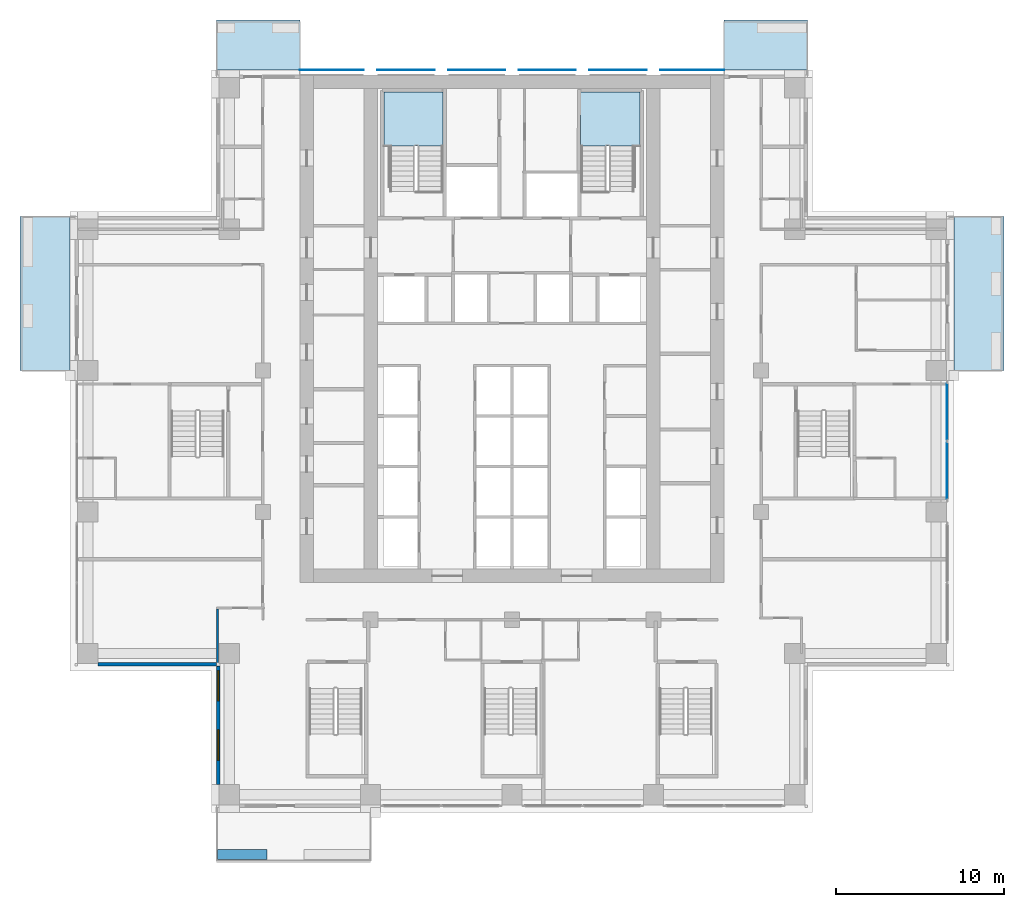
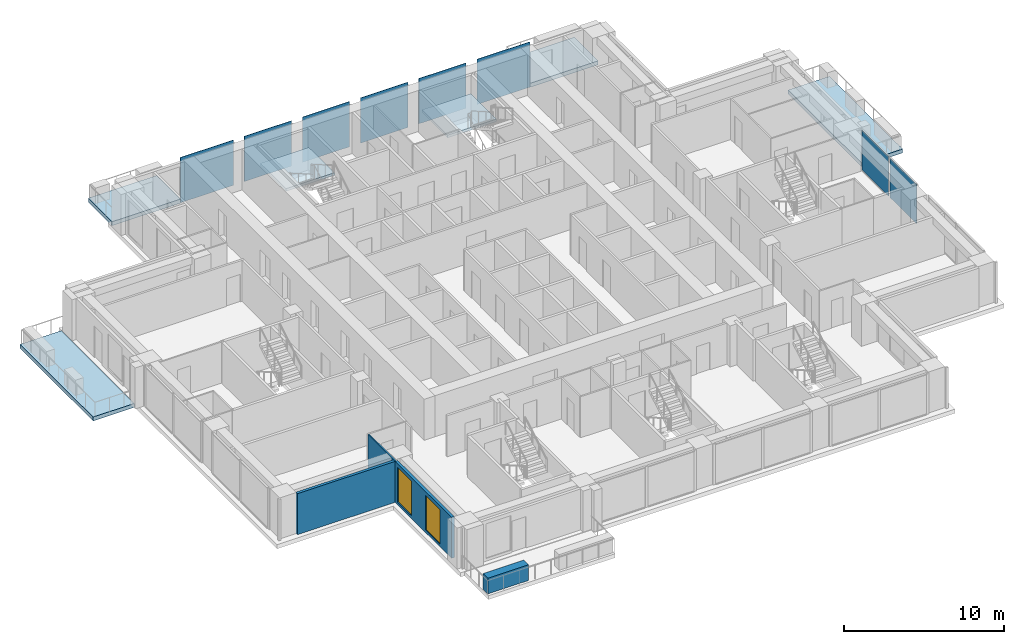
# One storey, part 6 of 17: 8 plates, 6 slabs, 4 walls, 2 windows, 2 openings, 3 elements without a shape of their own.
"""IFC4 building model written with IfcOpenShell, lengths in metres."""

import ifcopenshell
import ifcopenshell.guid

model = None  # the IFC model being written
_history = None  # IfcOwnerHistory: only IFC2X3 demands one
_inside = {}  # id of a spatial element -> (the spatial element, [elements in it])
_under = {}  # id of a project, library or spatial element -> (it, [spatial elements below it])
_declared = {}  # id of a project -> (the project, [libraries it declares])
_typed = {}  # id of a type object -> (the type object, [elements of that type])
_made_of = {}  # id of a material, layer set ... -> (it, [elements and type objects made of it])


def new_model(schema):
    """Start an empty IFC model of exactly this schema.

    Asked for "IFC4X3", IfcOpenShell would pick the latest addendum, in which some entities
    have other attributes; the version numbers below select the first issue.
    IFC2X3 requires an IfcOwnerHistory on every rooted entity: one is made here for all.
    """
    global model, _history
    if schema == "IFC4X3":
        model = ifcopenshell.file(schema_version=(4, 3, 0, 0))
    else:
        model = ifcopenshell.file(schema=schema)
    _inside.clear()
    _under.clear()
    _declared.clear()
    _typed.clear()
    _made_of.clear()
    _history = None
    if model.schema == "IFC2X3":
        org = make("IfcOrganization", Name="unknown")
        user = make(
            "IfcPersonAndOrganization",
            ThePerson=make("IfcPerson", FamilyName="unknown"),
            TheOrganization=org,
        )
        app = make(
            "IfcApplication",
            ApplicationDeveloper=org,
            Version="unknown",
            ApplicationFullName="unknown",
            ApplicationIdentifier="unknown",
        )
        _history = make(
            "IfcOwnerHistory",
            OwningUser=user,
            OwningApplication=app,
            ChangeAction="ADDED",
            CreationDate=0,
        )
    return model


def make(cls, **values):
    """One entity of the class cls with the attributes given. An attribute that is None is left unset."""
    return model.create_entity(
        cls, **{name: value for name, value in values.items() if value is not None}
    )


def rooted(cls, **values):
    """An entity with a GlobalId (a new one), such as an element, a storey or a relation."""
    return make(cls, GlobalId=ifcopenshell.guid.new(), OwnerHistory=_history, **values)


def si_unit(unit_type, name, prefix=None):
    """IfcSIUnit, for example si_unit("LENGTHUNIT", "METRE", prefix="MILLI")."""
    return make("IfcSIUnit", UnitType=unit_type, Prefix=prefix, Name=name)


def assignment(units):
    """IfcUnitAssignment: the units of a project."""
    return None if units is None else make("IfcUnitAssignment", Units=units)


def point(xyz):
    """IfcCartesianPoint."""
    return None if xyz is None else make("IfcCartesianPoint", Coordinates=xyz)


def direction(xyz):
    """IfcDirection."""
    return None if xyz is None else make("IfcDirection", DirectionRatios=xyz)


def frame(location, z_axis=None, x_axis=None):
    """IfcAxis2Placement3D, a coordinate frame: its origin and axes. An axis left out is left unset."""
    return make(
        "IfcAxis2Placement3D",
        Location=point(location),
        Axis=direction(z_axis),
        RefDirection=direction(x_axis),
    )


def frame_2d(location, x_axis=None):
    """IfcAxis2Placement2D, a coordinate frame in the plane: its origin and x axis."""
    return make(
        "IfcAxis2Placement2D", Location=point(location), RefDirection=direction(x_axis)
    )


def origin():
    """The frame at (0, 0, 0) with its axes left unset."""
    return frame((0.0, 0.0, 0.0))


def origin_2d():
    """The frame at (0, 0) in the plane with its x axis left unset."""
    return frame_2d((0.0, 0.0))


def place(relative_to, where):
    """IfcLocalPlacement: puts the frame where relative to a parent placement (None: the world)."""
    return make(
        "IfcLocalPlacement", PlacementRelTo=relative_to, RelativePlacement=where
    )


def context(
    kind, dimensions, precision=None, world=None, true_north=None, identifier=None
):
    """IfcGeometricRepresentationContext, for example the 3D "Model" context."""
    return make(
        "IfcGeometricRepresentationContext",
        ContextIdentifier=identifier,
        ContextType=kind,
        CoordinateSpaceDimension=dimensions,
        Precision=precision,
        WorldCoordinateSystem=world,
        TrueNorth=true_north,
    )


def subcontext(parent, identifier, kind, view, scale=None):
    """IfcGeometricRepresentationSubContext, for example "Body" below "Model"."""
    return make(
        "IfcGeometricRepresentationSubContext",
        ContextIdentifier=identifier,
        ContextType=kind,
        ParentContext=parent,
        TargetScale=scale,
        TargetView=view,
    )


def project(units=None, contexts=None):
    """IfcProject with its units and contexts."""
    return rooted(
        "IfcProject",
        Name="project",
        RepresentationContexts=contexts,
        UnitsInContext=assignment(units),
    )


def spatial(cls, under=None, at=None, **own):
    """A site, building, storey or space (cls), placed at a placement, below another one or the project."""
    s = rooted(cls, ObjectPlacement=at, **own)
    if under is not None:
        _under.setdefault(under.id(), (under, []))[1].append(s)
    return s


def polyline(points):
    """IfcPolyline through the points."""
    return make("IfcPolyline", Points=[point(p) for p in points])


def profile(cls, at=None, kind="AREA", **sizes):
    """A parametric profile (cls). Its sizes go by their IFC names, for example OverallWidth=200.0."""
    return make(cls, ProfileType=kind, Position=at, **sizes)


def rectangle(**sizes):
    """IfcRectangleProfileDef."""
    return profile("IfcRectangleProfileDef", **sizes)


def outline(outer, holes=None, kind="AREA"):
    """IfcArbitraryClosedProfileDef: a profile drawn as a closed curve; with holes, ...WithVoids."""
    if holes is None:
        return make("IfcArbitraryClosedProfileDef", ProfileType=kind, OuterCurve=outer)
    return make(
        "IfcArbitraryProfileDefWithVoids",
        ProfileType=kind,
        OuterCurve=outer,
        InnerCurves=holes,
    )


def extrude(swept, where, along, depth):
    """IfcExtrudedAreaSolid: the profile swept, set in the frame where, extruded along a direction by depth."""
    return make(
        "IfcExtrudedAreaSolid",
        SweptArea=swept,
        Position=where,
        ExtrudedDirection=direction(along),
        Depth=depth,
    )


def shape(context_of_items, identifier, shape_type, items):
    """IfcShapeRepresentation: the items that make up one representation, for example the "Body"."""
    return make(
        "IfcShapeRepresentation",
        ContextOfItems=context_of_items,
        RepresentationIdentifier=identifier,
        RepresentationType=shape_type,
        Items=items,
    )


def material(Name=None, Category=None):
    """IfcMaterial."""
    return make("IfcMaterial", Name=Name, Category=Category)


def layer(
    of_material, thickness, ventilated=None, Name=None, Category=None, Priority=None
):
    """IfcMaterialLayer: one layer of a wall or slab, of a material (None: an air gap)."""
    return make(
        "IfcMaterialLayer",
        Material=of_material,
        LayerThickness=thickness,
        IsVentilated=ventilated,
        Name=Name,
        Category=Category,
        Priority=Priority,
    )


def layer_set(layers, Name=None):
    """IfcMaterialLayerSet."""
    return make("IfcMaterialLayerSet", MaterialLayers=layers, LayerSetName=Name)


def made_of(thing, what):
    """Note that an element or type object is made of a material, layer set ...; save() writes the relation."""
    if what is not None:
        _made_of.setdefault(what.id(), (what, []))[1].append(thing)
    return thing


def type_object(cls, material=None, **own):
    """A type object (cls), such as IfcWallType, which elements share."""
    return made_of(rooted(cls, **own), material)


def element(
    cls,
    number,
    at=None,
    inside=None,
    cuts=None,
    type_object=None,
    material=None,
    context=None,
    identifier="Body",
    shape_type=None,
    held_by="IfcProductDefinitionShape",
    body=None,
    shapes=None,
    **own,
):
    """One element of the class cls, such as IfcWall. Its Tag is "e" and its number.

    at: its placement. inside: the storey or other place that contains it. cuts: it is an
    opening in that element (IfcRelVoidsElement). A single representation is given by context,
    identifier, shape_type and body (its items); several are given by shapes. held_by: the class
    of the entity that holds the representations. save() writes the other relations.
    """
    e = rooted(cls, Tag="e%d" % number, ObjectPlacement=at, **own)
    if body is not None:
        shapes = [shape(context, identifier, shape_type, body)]
    if shapes is not None:
        e.Representation = make(held_by, Representations=shapes)
    if inside is not None:
        _inside.setdefault(inside.id(), (inside, []))[1].append(e)
    if cuts is not None:
        rooted(
            "IfcRelVoidsElement", RelatingBuildingElement=cuts, RelatedOpeningElement=e
        )
    if type_object is not None:
        _typed.setdefault(type_object.id(), (type_object, []))[1].append(e)
    return made_of(e, material)


def fill(opening, filler):
    """IfcRelFillsElement: the door or window that sits in an opening."""
    return rooted(
        "IfcRelFillsElement",
        RelatingOpeningElement=opening,
        RelatedBuildingElement=filler,
    )


def aggregate(whole, parts):
    """IfcRelAggregates: a whole, such as a stair, and the parts it consists of."""
    return rooted("IfcRelAggregates", RelatingObject=whole, RelatedObjects=parts)


def save(model, path):
    """Write the relations noted so far, then the file.

    IfcRelAggregates (storeys below a building ...), IfcRelContainedInSpatialStructure (elements
    in a storey), IfcRelDefinesByType, IfcRelAssociatesMaterial and IfcRelDeclares: one each for
    every whole, place, type object, material and project.
    """
    for whole, parts in _under.values():
        aggregate(whole, parts)
    for where, things in _inside.values():
        rooted(
            "IfcRelContainedInSpatialStructure",
            RelatedElements=things,
            RelatingStructure=where,
        )
    for kind, things in _typed.values():
        rooted("IfcRelDefinesByType", RelatedObjects=things, RelatingType=kind)
    for what, things in _made_of.values():
        rooted("IfcRelAssociatesMaterial", RelatedObjects=things, RelatingMaterial=what)
    for by, libraries in _declared.values():
        rooted("IfcRelDeclares", RelatingContext=by, RelatedDefinitions=libraries)
    model.write(path)


model = new_model("IFC4")

# Units and contexts
model_context = context("Model", 3, precision=1e-05, world=origin(), true_north=direction((0.0, 1.0)))
body_context = subcontext(model_context, "Body", "Model", "MODEL_VIEW")
ifc_project = project(units=[si_unit("LENGTHUNIT", "METRE"), si_unit("AREAUNIT", "SQUARE_METRE"), si_unit("VOLUMEUNIT", "CUBIC_METRE"), si_unit("PLANEANGLEUNIT", "RADIAN"), si_unit("MASSUNIT", "GRAM", prefix="KILO")], contexts=[model_context])

# Site, building, storey
site_placement = place(None, origin())
site = spatial("IfcSite", under=ifc_project, at=site_placement, CompositionType="ELEMENT")
building_placement = place(site_placement, origin())
building = spatial("IfcBuilding", under=site, at=building_placement, Name="Vermilion Ogive Tower", CompositionType="ELEMENT")
storey_placement = place(building_placement, frame((0.0, 0.0, 83.85009765625)))
storey = spatial("IfcBuildingStorey", under=building, at=storey_placement, Name="L20", CompositionType="ELEMENT", Elevation=83.85009765625)

# Slabs
ifc_material_1 = material(Name="Concrete B40", Category="concrete")
ifc_layer_1 = layer(ifc_material_1, 0.300048828125)
ifc_layer_set_1 = layer_set([ifc_layer_1], Name="Balcony slab")
slab_type_1 = type_object("IfcSlabType", Name="Balcony slab", PredefinedType="FLOOR", material=ifc_layer_set_1)
slab_1_placement = place(storey_placement, frame((0.0, 0.0, -0.340087890625)))
element("IfcSlab", 1, at=slab_1_placement, inside=storey, type_object=slab_type_1, Name="Balcony slab E03", PredefinedType="FLOOR", context=body_context, shape_type="SweptSolid", body=[
    extrude(outline(polyline([(29.22998046875, 4.199951171875), (29.22998046875, 13.35009765625), (26.25, 13.35009765625), (26.25, 4.199951171875), (29.22998046875, 4.199951171875)])), origin(), (0.0, 0.0, 1.0), 0.300048828125),
])
slab_2_placement = place(storey_placement, frame((0.0, 0.0, -0.340087890625)))
element("IfcSlab", 2, at=slab_2_placement, inside=storey, type_object=slab_type_1, Name="Balcony slab N101", PredefinedType="FLOOR", context=body_context, shape_type="SweptSolid", body=[
    extrude(outline(polyline([(17.550048828125, 25.030029296875), (12.60009765625, 25.030029296875), (12.60009765625, 22.050048828125), (17.550048828125, 22.050048828125), (17.550048828125, 25.030029296875)])), origin(), (0.0, 0.0, 1.0), 0.300048828125),
])
slab_3_placement = place(storey_placement, frame((0.0, 0.0, -0.340087890625)))
element("IfcSlab", 3, at=slab_3_placement, inside=storey, type_object=slab_type_1, Name="Balcony slab N201", PredefinedType="FLOOR", context=body_context, shape_type="SweptSolid", body=[
    extrude(outline(polyline([(-12.60009765625, 25.030029296875), (-17.550048828125, 25.030029296875), (-17.550048828125, 22.050048828125), (-12.60009765625, 22.050048828125), (-12.60009765625, 25.030029296875)])), origin(), (0.0, 0.0, 1.0), 0.300048828125),
])
slab_4_placement = place(storey_placement, frame((0.0, 0.0, -0.340087890625)))
element("IfcSlab", 4, at=slab_4_placement, inside=storey, type_object=slab_type_1, Name="Balcony slab W01", PredefinedType="FLOOR", context=body_context, shape_type="SweptSolid", body=[
    extrude(outline(polyline([(-29.22998046875, 13.35009765625), (-29.22998046875, 4.199951171875), (-26.25, 4.199951171875), (-26.25, 13.35009765625), (-29.22998046875, 13.35009765625)])), origin(), (0.0, 0.0, 1.0), 0.300048828125),
])

# Curtain wall, plates
ifc_material_2 = material(Name="Low-iron laminated glazing in aluminium frame", Category="aluminium")
curtain_wall_type = type_object("IfcCurtainWallType", Name="Curtain wall CW7", PredefinedType="NOTDEFINED", material=ifc_material_2)
curtain_wall_placement = place(storey_placement, origin())
curtain_wall = element("IfcCurtainWall", 5, at=curtain_wall_placement, inside=storey, type_object=curtain_wall_type, Name="Glazed skin E2", PredefinedType="NOTDEFINED")
ifc_material_3 = material(Name="Low-iron laminated glazing in aluminium frame", Category="aluminium")
ifc_layer_2 = layer(ifc_material_3, 0.031982421875)
ifc_layer_set_2 = layer_set([ifc_layer_2], Name="CW7 glazing panel 32")
plate_type_1 = type_object("IfcPlateType", Name="CW7 glazing panel 32", PredefinedType="CURTAIN_PANEL", material=ifc_layer_set_2)
plate_1_placement = place(storey_placement, frame((25.85009765625, -1.7548828125, 0.06005859375), z_axis=(0.0, 0.0, 1.0), x_axis=(0.0, 1.0, 0.0)))
plate_1 = element("IfcPlate", 6, at=plate_1_placement, type_object=plate_type_1, Name="CW7-E2 panel 1.1", PredefinedType="CURTAIN_PANEL", context=body_context, shape_type="SweptSolid", body=[
    extrude(rectangle(XDim=3.330078125, YDim=0.031982421875, at=origin_2d()), origin(), (0.0, 0.0, 1.0), 3.010009765625),
])
plate_2_placement = place(storey_placement, frame((25.85009765625, 1.7548828125, 0.06005859375), z_axis=(0.0, 0.0, 1.0), x_axis=(0.0, 1.0, 0.0)))
plate_2 = element("IfcPlate", 7, at=plate_2_placement, type_object=plate_type_1, Name="CW7-E2 panel 2.1", PredefinedType="CURTAIN_PANEL", context=body_context, shape_type="SweptSolid", body=[
    extrude(rectangle(XDim=3.330078125, YDim=0.031982421875, at=origin_2d()), origin(), (0.0, 0.0, 1.0), 3.010009765625),
])
aggregate(curtain_wall, [plate_1, plate_2])

# Plates
ifc_material_4 = material(Name="Low-iron laminated glazing in aluminium frame", Category="aluminium")
ifc_layer_3 = layer(ifc_material_4, 0.031982421875)
ifc_layer_set_3 = layer_set([ifc_layer_3], Name="Glazed rainscreen sheet 32")
plate_type_2 = type_object("IfcPlateType", Name="Glazed rainscreen sheet 32", PredefinedType="SHEET", material=ifc_layer_set_3)
plate_3_placement = place(storey_placement, frame((-10.7099609375, 22.06591796875, -0.3203125), z_axis=(0.0, 0.0, 1.0), x_axis=(1.0, 0.0, 0.0)))
element("IfcPlate", 8, at=plate_3_placement, inside=storey, type_object=plate_type_2, Name="Glazed rainscreen sheet N1", PredefinedType="SHEET", context=body_context, shape_type="SweptSolid", body=[
    extrude(rectangle(XDim=3.820068359375, YDim=0.031982421875, at=origin_2d()), origin(), (0.0, 0.0, 1.0), 3.449951171875),
])
for number, where, z_axis, x_axis, name in (
    (9, (-6.300048828125, 22.06591796875, -0.3203125), (0.0, 0.0, 1.0), (1.0, 0.0, 0.0), "Glazed rainscreen sheet N2"),
    (10, (-2.10009765625, 22.06591796875, -0.3203125), (0.0, 0.0, 1.0), (1.0, 0.0, 0.0), "Glazed rainscreen sheet N3"),
    (11, (2.10009765625, 22.06591796875, -0.3203125), (0.0, 0.0, 1.0), (1.0, 0.0, 0.0), "Glazed rainscreen sheet N4"),
    (12, (6.300048828125, 22.06591796875, -0.3203125), (0.0, 0.0, 1.0), (1.0, 0.0, 0.0), "Glazed rainscreen sheet N5"),
):
    element("IfcPlate", number, at=place(storey_placement, frame(where, z_axis=z_axis, x_axis=x_axis)), inside=storey, type_object=plate_type_2, Name=name, PredefinedType="SHEET", context=body_context, shape_type="SweptSolid", body=[
        extrude(rectangle(XDim=3.39990234375, YDim=0.031982421875, at=origin_2d()), origin(), (0.0, 0.0, 1.0), 3.449951171875),
    ])
plate_4_placement = place(storey_placement, frame((10.7099609375, 22.06591796875, -0.3203125), z_axis=(0.0, 0.0, 1.0), x_axis=(1.0, 0.0, 0.0)))
element("IfcPlate", 13, at=plate_4_placement, inside=storey, type_object=plate_type_2, Name="Glazed rainscreen sheet N6", PredefinedType="SHEET", context=body_context, shape_type="SweptSolid", body=[
    extrude(rectangle(XDim=3.820068359375, YDim=0.031982421875, at=origin_2d()), origin(), (0.0, 0.0, 1.0), 3.449951171875),
])

# Stair, slab
ifc_material_5 = material(Name="Concrete B40", Category="concrete")
stair_type = type_object("IfcStairType", Name="Exit stair 1500", PredefinedType="HALF_TURN_STAIR", material=ifc_material_5)
stair_1_placement = place(storey_placement, origin())
stair_1 = element("IfcStair", 14, at=stair_1_placement, inside=storey, type_object=stair_type, Name="L20 Exit Stair ST1", PredefinedType="HALF_TURN_STAIR")
ifc_material_6 = material(Name="Concrete B40", Category="concrete")
ifc_layer_4 = layer(ifc_material_6, 0.199951171875)
ifc_layer_set_4 = layer_set([ifc_layer_4], Name="Stair landing 200")
slab_type_2 = type_object("IfcSlabType", Name="Stair landing 200", PredefinedType="LANDING", material=ifc_layer_set_4)
slab_5_placement = place(storey_placement, frame((0.0, 0.0, 1.52490234375)))
slab_5 = element("IfcSlab", 15, at=slab_5_placement, type_object=slab_type_2, Name="ST1 landing 1", PredefinedType="LANDING", context=body_context, shape_type="SweptSolid", body=[
    extrude(outline(polyline([(-7.60009765625, 17.550048828125), (-7.25, 17.550048828125), (-7.25, 17.548095703125), (-5.75, 17.548095703125), (-5.75, 17.550048828125), (-5.60009765625, 17.550048828125), (-5.60009765625, 17.548095703125), (-4.10009765625, 17.548095703125), (-4.10009765625, 20.75), (-7.60009765625, 20.75), (-7.60009765625, 17.550048828125)])), origin(), (0.0, 0.0, 1.0), 0.199951171875),
])
aggregate(stair_1, [slab_5])

stair_2_placement = place(storey_placement, origin())
stair_2 = element("IfcStair", 16, at=stair_2_placement, inside=storey, type_object=stair_type, Name="L20 Exit Stair ST2", PredefinedType="HALF_TURN_STAIR")
slab_6_placement = place(storey_placement, frame((0.0, 0.0, 1.52490234375)))
slab_6 = element("IfcSlab", 17, at=slab_6_placement, type_object=slab_type_2, Name="ST2 landing 1", PredefinedType="LANDING", context=body_context, shape_type="SweptSolid", body=[
    extrude(outline(polyline([(5.60009765625, 17.550048828125), (5.75, 17.550048828125), (5.75, 17.548095703125), (7.25, 17.548095703125), (7.25, 17.550048828125), (7.60009765625, 17.550048828125), (7.60009765625, 20.75), (4.074951171875, 20.75), (4.074951171875, 17.550048828125), (4.10009765625, 17.550048828125), (4.10009765625, 17.548095703125), (5.60009765625, 17.548095703125), (5.60009765625, 17.550048828125)])), origin(), (0.0, 0.0, 1.0), 0.199951171875),
])
aggregate(stair_2, [slab_6])

# Walls
ifc_material_7 = material(Name="Gypsum board partition on steel studs", Category="steel")
ifc_layer_5 = layer(ifc_material_7, 0.10009765625)
ifc_layer_set_5 = layer_set([ifc_layer_5], Name="Partition 100 bath")
wall_type_1 = type_object("IfcWallType", Name="Partition 100 bath", PredefinedType="PARTITIONING", material=ifc_layer_set_5)
wall_1_placement = place(storey_placement, frame((-17.5, -13.35009765625, 0.0), z_axis=(0.0, 0.0, 1.0), x_axis=(0.0, 1.0, 0.0)))
element("IfcWall", 18, at=wall_1_placement, inside=storey, type_object=wall_type_1, Name="L20-W-W041", PredefinedType="PARTITIONING", context=body_context, shape_type="SweptSolid", body=[
    extrude(rectangle(XDim=3.400146484375, YDim=0.10009765625, at=frame_2d((1.7001953125, 0.0))), origin(), (0.0, 0.0, 1.0), 3.1298828125),
])
ifc_material_8 = material(Name="Concrete B40", Category="concrete")
ifc_layer_6 = layer(ifc_material_8, 0.60009765625)
ifc_layer_set_6 = layer_set([ifc_layer_6], Name="Structural planter")
wall_type_2 = type_object("IfcWallType", Name="Structural planter", PredefinedType="USERDEFINED", material=ifc_layer_set_6)
wall_2_placement = place(storey_placement, frame((-17.489990234375, -24.550048828125, -0.0400390625), z_axis=(0.0, 0.0, 1.0), x_axis=(1.0, 0.0, 0.0)))
element("IfcWall", 19, at=wall_2_placement, inside=storey, type_object=wall_type_2, Name="Planter S01A1", ObjectType="PLANTER", PredefinedType="USERDEFINED", context=body_context, shape_type="SweptSolid", body=[
    extrude(rectangle(XDim=2.93994140625, YDim=0.60009765625, at=frame_2d((1.469970703125, 0.0))), origin(), (0.0, 0.0, 1.0), 1.199951171875),
])
ifc_material_9 = material(Name="Aluminium window wall framing", Category="aluminium")
ifc_layer_7 = layer(ifc_material_9, 0.199951171875)
ifc_layer_set_7 = layer_set([ifc_layer_7], Name="Window wall")
wall_type_3 = type_object("IfcWallType", Name="Window wall", PredefinedType="STANDARD", material=ifc_layer_set_7)
wall_3_placement = place(storey_placement, frame((-24.60009765625, -13.25, 0.0), z_axis=(0.0, 0.0, 1.0), x_axis=(1.0, 0.0, 0.0)))
element("IfcWall", 20, at=wall_3_placement, inside=storey, type_object=wall_type_3, Name="Window wall X71", PredefinedType="STANDARD", context=body_context, shape_type="SweptSolid", body=[
    extrude(rectangle(XDim=7.050048828125, YDim=0.199951171875, at=frame_2d((3.52490234375, 0.0))), origin(), (0.0, 0.0, 1.0), 3.1298828125),
])

# Wall, openings, windows
wall_4_placement = place(storey_placement, frame((-17.449951171875, -13.35009765625, 0.0), z_axis=(0.0, 0.0, 1.0), x_axis=(0.0, -1.0, 0.0)))
wall_4 = element("IfcWall", 21, at=wall_4_placement, inside=storey, type_object=wall_type_3, Name="Window wall X81", PredefinedType="STANDARD", context=body_context, shape_type="SweptSolid", body=[
    extrude(rectangle(XDim=7.0498046875, YDim=0.199951171875, at=frame_2d((3.52490234375, 0.0))), origin(), (0.0, 0.0, 1.0), 3.1298828125),
])
opening_1_placement = place(wall_4_placement, frame((3.800048828125, 0.0, 0.199951171875)))
opening_1 = element("IfcOpeningElement", 22, at=opening_1_placement, cuts=wall_4, Name="Opening W1-X895", PredefinedType="OPENING", context=body_context, shape_type="SweptSolid", body=[
    extrude(rectangle(XDim=1.800048828125, YDim=2.64990234375, at=frame_2d((0.89990234375, 1.324951171875))), frame((0.0, 0.10986328125, 0.0), z_axis=(0.0, -1.0, 0.0), x_axis=(1.0, 0.0, 0.0)), (0.0, 0.0, 1.0), 0.219970703125),
])
opening_2_placement = place(wall_4_placement, frame((0.27490234375, 0.0, 0.199951171875)))
opening_2 = element("IfcOpeningElement", 23, at=opening_2_placement, cuts=wall_4, Name="Opening W1-X896", PredefinedType="OPENING", context=body_context, shape_type="SweptSolid", body=[
    extrude(rectangle(XDim=1.800048828125, YDim=2.64990234375, at=frame_2d((0.89990234375, 1.324951171875))), frame((0.0, 0.10986328125, 0.0), z_axis=(0.0, -1.0, 0.0), x_axis=(1.0, 0.0, 0.0)), (0.0, 0.0, 1.0), 0.219970703125),
])
ifc_material_10 = material(Name="Aluminium framed double glazing", Category="aluminium")
window_type = type_object("IfcWindowType", Name="Guest window W1", PartitioningType="SINGLE_PANEL", PredefinedType="WINDOW", material=ifc_material_10)
window_1_placement = place(opening_1_placement, origin())
window_1 = element("IfcWindow", 24, at=window_1_placement, inside=storey, type_object=window_type, Name="Window X895", OverallHeight=2.64990234375, OverallWidth=1.800048828125, PartitioningType="SINGLE_PANEL", PredefinedType="WINDOW", context=body_context, shape_type="SweptSolid", body=[
    extrude(rectangle(XDim=1.800048828125, YDim=2.64990234375, at=frame_2d((0.89990234375, 1.324951171875))), frame((0.0, 0.030029296875, 0.0), z_axis=(0.0, -1.0, 0.0), x_axis=(1.0, 0.0, 0.0)), (0.0, 0.0, 1.0), 0.06005859375),
])
fill(opening_1, window_1)
window_2_placement = place(opening_2_placement, origin())
window_2 = element("IfcWindow", 25, at=window_2_placement, inside=storey, type_object=window_type, Name="Window X896", OverallHeight=2.64990234375, OverallWidth=1.800048828125, PartitioningType="SINGLE_PANEL", PredefinedType="WINDOW", context=body_context, shape_type="SweptSolid", body=[
    extrude(rectangle(XDim=1.800048828125, YDim=2.64990234375, at=frame_2d((0.89990234375, 1.324951171875))), frame((0.0, 0.030029296875, 0.0), z_axis=(0.0, -1.0, 0.0), x_axis=(1.0, 0.0, 0.0)), (0.0, 0.0, 1.0), 0.06005859375),
])
fill(opening_2, window_2)

save(model, "model.ifc")
